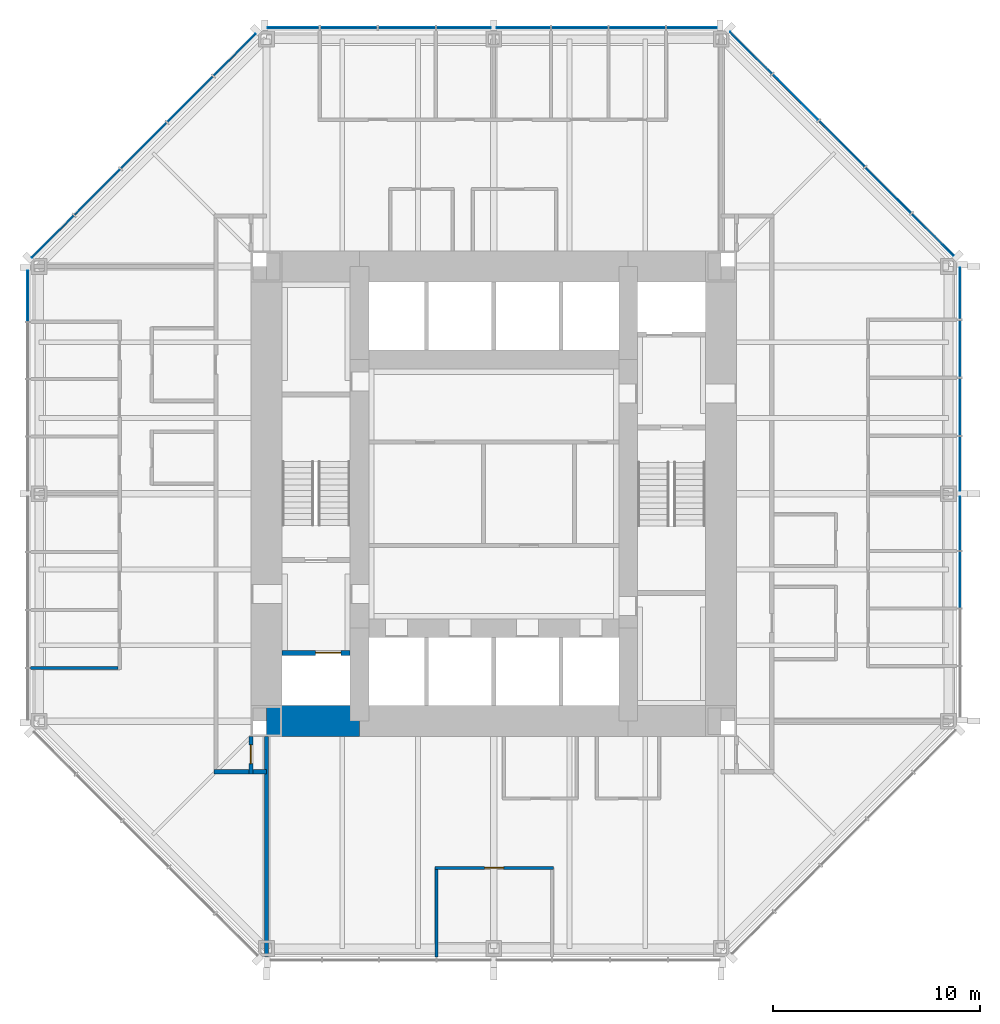
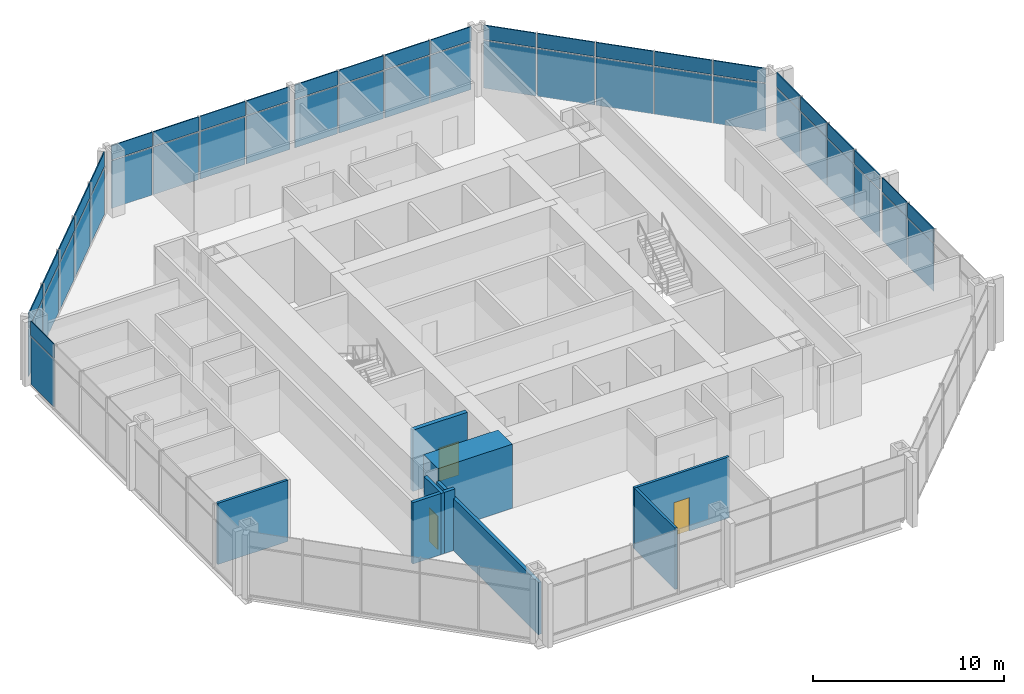
# One storey, part 8 of 14: 50 plates, 8 walls, 3 doors, 3 openings, 5 elements without a shape of their own.
"""IFC4 building model written with IfcOpenShell, lengths in metres."""

from ifc_helpers import new_model, si_unit, direction, frame, frame_2d, origin, origin_2d, place, context, subcontext, project, spatial, rectangle, extrude, material, layer, layer_set, type_object, element, fill, aggregate, save


model = new_model("IFC4")

# Units and contexts
model_context = context("Model", 3, precision=1e-05, world=origin(), true_north=direction((0.0, 1.0)))
body_context = subcontext(model_context, "Body", "Model", "MODEL_VIEW")
ifc_project = project(units=[si_unit("LENGTHUNIT", "METRE"), si_unit("AREAUNIT", "SQUARE_METRE"), si_unit("VOLUMEUNIT", "CUBIC_METRE"), si_unit("PLANEANGLEUNIT", "RADIAN"), si_unit("MASSUNIT", "GRAM", prefix="KILO")], contexts=[model_context])

# Site, building, storey
site_placement = place(None, origin())
site = spatial("IfcSite", under=ifc_project, at=site_placement, CompositionType="ELEMENT")
building_placement = place(site_placement, origin())
building = spatial("IfcBuilding", under=site, at=building_placement, Name="Trevanion Tower", CompositionType="ELEMENT")
storey_placement = place(building_placement, frame((0.0, 0.0, 104.89990234375)))
storey = spatial("IfcBuildingStorey", under=building, at=storey_placement, Name="L24", CompositionType="ELEMENT", Elevation=104.89990234375)

# Curtain wall, plates
ifc_material_1 = material(Name="Aluminium and glass", Category="aluminium")
curtain_wall_type = type_object("IfcCurtainWallType", Name="CW2 curtain wall", PredefinedType="USERDEFINED", material=ifc_material_1)
curtain_wall_1_placement = place(storey_placement, origin())
curtain_wall_1 = element("IfcCurtainWall", 1, at=curtain_wall_1_placement, inside=storey, type_object=curtain_wall_type, Name="CW2 L24 0", ObjectType="UNITISED CURTAIN WALL", PredefinedType="USERDEFINED")
ifc_material_2 = material(Name="Aluminium spandrel panel", Category="aluminium")
ifc_layer_1 = layer(ifc_material_2, 0.06005859375)
ifc_layer_set_1 = layer_set([ifc_layer_1], Name="CW2 spandrel panel")
plate_type_1 = type_object("IfcPlateType", Name="CW2 spandrel panel", PredefinedType="CURTAIN_PANEL", material=ifc_layer_set_1)
plate_1_placement = place(storey_placement, frame((22.550048828125, -4.16162109375, 2.99755859375), z_axis=(0.0, 0.0, 1.0), x_axis=(0.0, 1.0, 0.0)))
plate_1 = element("IfcPlate", 2, at=plate_1_placement, type_object=plate_type_1, Name="CW2 panel 3.2", PredefinedType="CURTAIN_PANEL", context=body_context, shape_type="SweptSolid", body=[
    extrude(rectangle(XDim=2.699462890625, YDim=0.06005859375, at=origin_2d()), origin(), (0.0, 0.0, 1.0), 0.91259765625),
])
plate_2_placement = place(storey_placement, frame((22.550048828125, -1.443603515625, 2.99755859375), z_axis=(0.0, 0.0, 1.0), x_axis=(0.0, 1.0, 0.0)))
plate_2 = element("IfcPlate", 3, at=plate_2_placement, type_object=plate_type_1, Name="CW2 panel 4.2", PredefinedType="CURTAIN_PANEL", context=body_context, shape_type="SweptSolid", body=[
    extrude(rectangle(XDim=2.5869140625, YDim=0.06005859375, at=origin_2d()), origin(), (0.0, 0.0, 1.0), 0.91259765625),
])
plate_3_placement = place(storey_placement, frame((22.550048828125, 1.459716796875, 2.99755859375), z_axis=(0.0, 0.0, 1.0), x_axis=(0.0, 1.0, 0.0)))
plate_3 = element("IfcPlate", 4, at=plate_3_placement, type_object=plate_type_1, Name="CW2 panel 5.2", PredefinedType="CURTAIN_PANEL", context=body_context, shape_type="SweptSolid", body=[
    extrude(rectangle(XDim=2.619384765625, YDim=0.06005859375, at=origin_2d()), origin(), (0.0, 0.0, 1.0), 0.91259765625),
])
plate_4_placement = place(storey_placement, frame((22.550048828125, 4.21044921875, 2.99755859375), z_axis=(0.0, 0.0, 1.0), x_axis=(0.0, 1.0, 0.0)))
plate_4 = element("IfcPlate", 5, at=plate_4_placement, type_object=plate_type_1, Name="CW2 panel 6.2", PredefinedType="CURTAIN_PANEL", context=body_context, shape_type="SweptSolid", body=[
    extrude(rectangle(XDim=2.73193359375, YDim=0.06005859375, at=origin_2d()), origin(), (0.0, 0.0, 1.0), 0.91259765625),
])
plate_5_placement = place(storey_placement, frame((22.550048828125, 7.017333984375, 2.99755859375), z_axis=(0.0, 0.0, 1.0), x_axis=(0.0, 1.0, 0.0)))
plate_5 = element("IfcPlate", 6, at=plate_5_placement, type_object=plate_type_1, Name="CW2 panel 7.2", PredefinedType="CURTAIN_PANEL", context=body_context, shape_type="SweptSolid", body=[
    extrude(rectangle(XDim=2.73193359375, YDim=0.06005859375, at=origin_2d()), origin(), (0.0, 0.0, 1.0), 0.91259765625),
])
plate_6_placement = place(storey_placement, frame((22.550048828125, 9.693115234375, 2.99755859375), z_axis=(0.0, 0.0, 1.0), x_axis=(0.0, 1.0, 0.0)))
plate_6 = element("IfcPlate", 7, at=plate_6_placement, type_object=plate_type_1, Name="CW2 panel 8.2", PredefinedType="CURTAIN_PANEL", context=body_context, shape_type="SweptSolid", body=[
    extrude(rectangle(XDim=2.469482421875, YDim=0.06005859375, at=origin_2d()), origin(), (0.0, 0.0, 1.0), 0.91259765625),
])

curtain_wall_2_placement = place(storey_placement, origin())
curtain_wall_2 = element("IfcCurtainWall", 8, at=curtain_wall_2_placement, inside=storey, type_object=curtain_wall_type, Name="CW2 L24 1", ObjectType="UNITISED CURTAIN WALL", PredefinedType="USERDEFINED")
plate_7_placement = place(storey_placement, frame((21.2421875, 12.53564453125, 2.99755859375), z_axis=(0.0, 0.0, 1.0), x_axis=(-0.707106781187, 0.707106781187, 0.0)))
plate_7 = element("IfcPlate", 9, at=plate_7_placement, type_object=plate_type_1, Name="CW2 panel 1.2", PredefinedType="CURTAIN_PANEL", context=body_context, shape_type="SweptSolid", body=[
    extrude(rectangle(XDim=2.8388671875, YDim=0.06005859375, at=origin_2d()), origin(), (0.0, 0.0, 1.0), 0.91259765625),
])
plate_8_placement = place(storey_placement, frame((19.089111328125, 14.688720703125, 2.99755859375), z_axis=(0.0, 0.0, 1.0), x_axis=(-0.707106781187, 0.707106781187, 0.0)))
plate_8 = element("IfcPlate", 10, at=plate_8_placement, type_object=plate_type_1, Name="CW2 panel 2.2", PredefinedType="CURTAIN_PANEL", context=body_context, shape_type="SweptSolid", body=[
    extrude(rectangle(XDim=3.101318359375, YDim=0.06005859375, at=origin_2d()), origin(), (0.0, 0.0, 1.0), 0.91259765625),
])
plate_9_placement = place(storey_placement, frame((16.843017578125, 16.934814453125, 2.99755859375), z_axis=(0.0, 0.0, 1.0), x_axis=(-0.707106781187, 0.707106781187, 0.0)))
plate_9 = element("IfcPlate", 11, at=plate_9_placement, type_object=plate_type_1, Name="CW2 panel 3.2", PredefinedType="CURTAIN_PANEL", context=body_context, shape_type="SweptSolid", body=[
    extrude(rectangle(XDim=3.101318359375, YDim=0.06005859375, at=origin_2d()), origin(), (0.0, 0.0, 1.0), 0.91259765625),
])
plate_10_placement = place(storey_placement, frame((14.596923828125, 19.180908203125, 2.99755859375), z_axis=(0.0, 0.0, 1.0), x_axis=(-0.707106781187, 0.707106781187, 0.0)))
plate_10 = element("IfcPlate", 12, at=plate_10_placement, type_object=plate_type_1, Name="CW2 panel 4.2", PredefinedType="CURTAIN_PANEL", context=body_context, shape_type="SweptSolid", body=[
    extrude(rectangle(XDim=3.101318359375, YDim=0.06005859375, at=origin_2d()), origin(), (0.0, 0.0, 1.0), 0.91259765625),
])
plate_11_placement = place(storey_placement, frame((12.443603515625, 21.334228515625, 2.99755859375), z_axis=(0.0, 0.0, 1.0), x_axis=(-0.707106781187, 0.707106781187, 0.0)))
plate_11 = element("IfcPlate", 13, at=plate_11_placement, type_object=plate_type_1, Name="CW2 panel 5.2", PredefinedType="CURTAIN_PANEL", context=body_context, shape_type="SweptSolid", body=[
    extrude(rectangle(XDim=2.8388671875, YDim=0.06005859375, at=origin_2d()), origin(), (0.0, 0.0, 1.0), 0.91259765625),
])

curtain_wall_3_placement = place(storey_placement, origin())
curtain_wall_3 = element("IfcCurtainWall", 14, at=curtain_wall_3_placement, inside=storey, type_object=curtain_wall_type, Name="CW2 L24 2", ObjectType="UNITISED CURTAIN WALL", PredefinedType="USERDEFINED")
plate_12_placement = place(storey_placement, frame((9.579345703125, 22.550048828125, 2.99755859375), z_axis=(0.0, 0.0, 1.0), x_axis=(-1.0, 0.0, 0.0)))
plate_12 = element("IfcPlate", 15, at=plate_12_placement, type_object=plate_type_1, Name="CW2 panel 1.2", PredefinedType="CURTAIN_PANEL", context=body_context, shape_type="SweptSolid", body=[
    extrude(rectangle(XDim=2.43701171875, YDim=0.06005859375, at=origin_2d()), origin(), (0.0, 0.0, 1.0), 0.91259765625),
])
plate_13_placement = place(storey_placement, frame((6.93603515625, 22.550048828125, 2.99755859375), z_axis=(0.0, 0.0, 1.0), x_axis=(-1.0, 0.0, 0.0)))
plate_13 = element("IfcPlate", 16, at=plate_13_placement, type_object=plate_type_1, Name="CW2 panel 2.2", PredefinedType="CURTAIN_PANEL", context=body_context, shape_type="SweptSolid", body=[
    extrude(rectangle(XDim=2.699462890625, YDim=0.06005859375, at=origin_2d()), origin(), (0.0, 0.0, 1.0), 0.91259765625),
])
plate_14_placement = place(storey_placement, frame((4.16162109375, 22.550048828125, 2.99755859375), z_axis=(0.0, 0.0, 1.0), x_axis=(-1.0, 0.0, 0.0)))
plate_14 = element("IfcPlate", 17, at=plate_14_placement, type_object=plate_type_1, Name="CW2 panel 3.2", PredefinedType="CURTAIN_PANEL", context=body_context, shape_type="SweptSolid", body=[
    extrude(rectangle(XDim=2.699462890625, YDim=0.06005859375, at=origin_2d()), origin(), (0.0, 0.0, 1.0), 0.91259765625),
])
plate_15_placement = place(storey_placement, frame((1.443603515625, 22.550048828125, 2.99755859375), z_axis=(0.0, 0.0, 1.0), x_axis=(-1.0, 0.0, 0.0)))
plate_15 = element("IfcPlate", 18, at=plate_15_placement, type_object=plate_type_1, Name="CW2 panel 4.2", PredefinedType="CURTAIN_PANEL", context=body_context, shape_type="SweptSolid", body=[
    extrude(rectangle(XDim=2.5869140625, YDim=0.06005859375, at=origin_2d()), origin(), (0.0, 0.0, 1.0), 0.91259765625),
])
plate_16_placement = place(storey_placement, frame((-1.459716796875, 22.550048828125, 2.99755859375), z_axis=(0.0, 0.0, 1.0), x_axis=(-1.0, 0.0, 0.0)))
plate_16 = element("IfcPlate", 19, at=plate_16_placement, type_object=plate_type_1, Name="CW2 panel 5.2", PredefinedType="CURTAIN_PANEL", context=body_context, shape_type="SweptSolid", body=[
    extrude(rectangle(XDim=2.619384765625, YDim=0.06005859375, at=origin_2d()), origin(), (0.0, 0.0, 1.0), 0.91259765625),
])
plate_17_placement = place(storey_placement, frame((-4.21044921875, 22.550048828125, 2.99755859375), z_axis=(0.0, 0.0, 1.0), x_axis=(-1.0, 0.0, 0.0)))
plate_17 = element("IfcPlate", 20, at=plate_17_placement, type_object=plate_type_1, Name="CW2 panel 6.2", PredefinedType="CURTAIN_PANEL", context=body_context, shape_type="SweptSolid", body=[
    extrude(rectangle(XDim=2.73193359375, YDim=0.06005859375, at=origin_2d()), origin(), (0.0, 0.0, 1.0), 0.91259765625),
])
plate_18_placement = place(storey_placement, frame((-7.017333984375, 22.550048828125, 2.99755859375), z_axis=(0.0, 0.0, 1.0), x_axis=(-1.0, 0.0, 0.0)))
plate_18 = element("IfcPlate", 21, at=plate_18_placement, type_object=plate_type_1, Name="CW2 panel 7.2", PredefinedType="CURTAIN_PANEL", context=body_context, shape_type="SweptSolid", body=[
    extrude(rectangle(XDim=2.73193359375, YDim=0.06005859375, at=origin_2d()), origin(), (0.0, 0.0, 1.0), 0.91259765625),
])
plate_19_placement = place(storey_placement, frame((-9.693115234375, 22.550048828125, 2.99755859375), z_axis=(0.0, 0.0, 1.0), x_axis=(-1.0, 0.0, 0.0)))
plate_19 = element("IfcPlate", 22, at=plate_19_placement, type_object=plate_type_1, Name="CW2 panel 8.2", PredefinedType="CURTAIN_PANEL", context=body_context, shape_type="SweptSolid", body=[
    extrude(rectangle(XDim=2.469482421875, YDim=0.06005859375, at=origin_2d()), origin(), (0.0, 0.0, 1.0), 0.91259765625),
])

curtain_wall_4_placement = place(storey_placement, origin())
curtain_wall_4 = element("IfcCurtainWall", 23, at=curtain_wall_4_placement, inside=storey, type_object=curtain_wall_type, Name="CW2 L24 3", ObjectType="UNITISED CURTAIN WALL", PredefinedType="USERDEFINED")
plate_20_placement = place(storey_placement, frame((-12.53564453125, 21.2421875, 2.99755859375), z_axis=(0.0, 0.0, 1.0), x_axis=(-0.707106781187, -0.707106781187, 0.0)))
plate_20 = element("IfcPlate", 24, at=plate_20_placement, type_object=plate_type_1, Name="CW2 panel 1.2", PredefinedType="CURTAIN_PANEL", context=body_context, shape_type="SweptSolid", body=[
    extrude(rectangle(XDim=2.8388671875, YDim=0.06005859375, at=origin_2d()), origin(), (0.0, 0.0, 1.0), 0.91259765625),
])
plate_21_placement = place(storey_placement, frame((-14.688720703125, 19.089111328125, 2.99755859375), z_axis=(0.0, 0.0, 1.0), x_axis=(-0.707106781187, -0.707106781187, 0.0)))
plate_21 = element("IfcPlate", 25, at=plate_21_placement, type_object=plate_type_1, Name="CW2 panel 2.2", PredefinedType="CURTAIN_PANEL", context=body_context, shape_type="SweptSolid", body=[
    extrude(rectangle(XDim=3.101318359375, YDim=0.06005859375, at=origin_2d()), origin(), (0.0, 0.0, 1.0), 0.91259765625),
])
plate_22_placement = place(storey_placement, frame((-16.934814453125, 16.843017578125, 2.99755859375), z_axis=(0.0, 0.0, 1.0), x_axis=(-0.707106781187, -0.707106781187, 0.0)))
plate_22 = element("IfcPlate", 26, at=plate_22_placement, type_object=plate_type_1, Name="CW2 panel 3.2", PredefinedType="CURTAIN_PANEL", context=body_context, shape_type="SweptSolid", body=[
    extrude(rectangle(XDim=3.101318359375, YDim=0.06005859375, at=origin_2d()), origin(), (0.0, 0.0, 1.0), 0.91259765625),
])
plate_23_placement = place(storey_placement, frame((-19.180908203125, 14.596923828125, 2.99755859375), z_axis=(0.0, 0.0, 1.0), x_axis=(-0.707106781187, -0.707106781187, 0.0)))
plate_23 = element("IfcPlate", 27, at=plate_23_placement, type_object=plate_type_1, Name="CW2 panel 4.2", PredefinedType="CURTAIN_PANEL", context=body_context, shape_type="SweptSolid", body=[
    extrude(rectangle(XDim=3.101318359375, YDim=0.06005859375, at=origin_2d()), origin(), (0.0, 0.0, 1.0), 0.91259765625),
])
plate_24_placement = place(storey_placement, frame((-21.334228515625, 12.443603515625, 2.99755859375), z_axis=(0.0, 0.0, 1.0), x_axis=(-0.707106781187, -0.707106781187, 0.0)))
plate_24 = element("IfcPlate", 28, at=plate_24_placement, type_object=plate_type_1, Name="CW2 panel 5.2", PredefinedType="CURTAIN_PANEL", context=body_context, shape_type="SweptSolid", body=[
    extrude(rectangle(XDim=2.8388671875, YDim=0.06005859375, at=origin_2d()), origin(), (0.0, 0.0, 1.0), 0.91259765625),
])

# Curtain wall, plate
curtain_wall_5_placement = place(storey_placement, origin())
curtain_wall_5 = element("IfcCurtainWall", 29, at=curtain_wall_5_placement, inside=storey, type_object=curtain_wall_type, Name="CW2 L24 4", ObjectType="UNITISED CURTAIN WALL", PredefinedType="USERDEFINED")
plate_25_placement = place(storey_placement, frame((-22.550048828125, 9.579345703125, 2.99755859375), z_axis=(0.0, 0.0, 1.0), x_axis=(0.0, -1.0, 0.0)))
plate_25 = element("IfcPlate", 30, at=plate_25_placement, type_object=plate_type_1, Name="CW2 panel 1.2", PredefinedType="CURTAIN_PANEL", context=body_context, shape_type="SweptSolid", body=[
    extrude(rectangle(XDim=2.43701171875, YDim=0.06005859375, at=origin_2d()), origin(), (0.0, 0.0, 1.0), 0.91259765625),
])

# Plate
ifc_material_3 = material(Name="Insulating glass unit", Category="glass")
ifc_layer_2 = layer(ifc_material_3, 0.028076171875)
ifc_layer_set_2 = layer_set([ifc_layer_2], Name="CW2 vision panel")
plate_type_2 = type_object("IfcPlateType", Name="CW2 vision panel", PredefinedType="CURTAIN_PANEL", material=ifc_layer_set_2)
plate_26_placement = place(storey_placement, frame((22.550048828125, -4.16162109375, -0.114990234375), z_axis=(0.0, 0.0, 1.0), x_axis=(0.0, 1.0, 0.0)))
plate_26 = element("IfcPlate", 31, at=plate_26_placement, type_object=plate_type_2, Name="CW2 panel 3.1", PredefinedType="CURTAIN_PANEL", context=body_context, shape_type="SweptSolid", body=[
    extrude(rectangle(XDim=2.699462890625, YDim=0.028076171875, at=origin_2d()), origin(), (0.0, 0.0, 1.0), 3.03759765625),
])

plate_27_placement = place(storey_placement, frame((22.550048828125, -1.443603515625, -0.114990234375), z_axis=(0.0, 0.0, 1.0), x_axis=(0.0, 1.0, 0.0)))
plate_27 = element("IfcPlate", 32, at=plate_27_placement, type_object=plate_type_2, Name="CW2 panel 4.1", PredefinedType="CURTAIN_PANEL", context=body_context, shape_type="SweptSolid", body=[
    extrude(rectangle(XDim=2.5869140625, YDim=0.028076171875, at=origin_2d()), origin(), (0.0, 0.0, 1.0), 3.03759765625),
])

plate_28_placement = place(storey_placement, frame((22.550048828125, 1.459716796875, -0.114990234375), z_axis=(0.0, 0.0, 1.0), x_axis=(0.0, 1.0, 0.0)))
plate_28 = element("IfcPlate", 33, at=plate_28_placement, type_object=plate_type_2, Name="CW2 panel 5.1", PredefinedType="CURTAIN_PANEL", context=body_context, shape_type="SweptSolid", body=[
    extrude(rectangle(XDim=2.619384765625, YDim=0.028076171875, at=origin_2d()), origin(), (0.0, 0.0, 1.0), 3.03759765625),
])

plate_29_placement = place(storey_placement, frame((22.550048828125, 4.21044921875, -0.114990234375), z_axis=(0.0, 0.0, 1.0), x_axis=(0.0, 1.0, 0.0)))
plate_29 = element("IfcPlate", 34, at=plate_29_placement, type_object=plate_type_2, Name="CW2 panel 6.1", PredefinedType="CURTAIN_PANEL", context=body_context, shape_type="SweptSolid", body=[
    extrude(rectangle(XDim=2.73193359375, YDim=0.028076171875, at=origin_2d()), origin(), (0.0, 0.0, 1.0), 3.03759765625),
])

plate_30_placement = place(storey_placement, frame((22.550048828125, 7.017333984375, -0.114990234375), z_axis=(0.0, 0.0, 1.0), x_axis=(0.0, 1.0, 0.0)))
plate_30 = element("IfcPlate", 35, at=plate_30_placement, type_object=plate_type_2, Name="CW2 panel 7.1", PredefinedType="CURTAIN_PANEL", context=body_context, shape_type="SweptSolid", body=[
    extrude(rectangle(XDim=2.73193359375, YDim=0.028076171875, at=origin_2d()), origin(), (0.0, 0.0, 1.0), 3.03759765625),
])

plate_31_placement = place(storey_placement, frame((22.550048828125, 9.693115234375, -0.114990234375), z_axis=(0.0, 0.0, 1.0), x_axis=(0.0, 1.0, 0.0)))
plate_31 = element("IfcPlate", 36, at=plate_31_placement, type_object=plate_type_2, Name="CW2 panel 8.1", PredefinedType="CURTAIN_PANEL", context=body_context, shape_type="SweptSolid", body=[
    extrude(rectangle(XDim=2.469482421875, YDim=0.028076171875, at=origin_2d()), origin(), (0.0, 0.0, 1.0), 3.03759765625),
])

aggregate(curtain_wall_1, [plate_26, plate_1, plate_27, plate_2, plate_28, plate_3, plate_29, plate_4, plate_30, plate_5, plate_31, plate_6])

plate_32_placement = place(storey_placement, frame((21.2421875, 12.53564453125, -0.114990234375), z_axis=(0.0, 0.0, 1.0), x_axis=(-0.707106781187, 0.707106781187, 0.0)))
plate_32 = element("IfcPlate", 37, at=plate_32_placement, type_object=plate_type_2, Name="CW2 panel 1.1", PredefinedType="CURTAIN_PANEL", context=body_context, shape_type="SweptSolid", body=[
    extrude(rectangle(XDim=2.8388671875, YDim=0.028076171875, at=origin_2d()), origin(), (0.0, 0.0, 1.0), 3.03759765625),
])

plate_33_placement = place(storey_placement, frame((19.089111328125, 14.688720703125, -0.114990234375), z_axis=(0.0, 0.0, 1.0), x_axis=(-0.707106781187, 0.707106781187, 0.0)))
plate_33 = element("IfcPlate", 38, at=plate_33_placement, type_object=plate_type_2, Name="CW2 panel 2.1", PredefinedType="CURTAIN_PANEL", context=body_context, shape_type="SweptSolid", body=[
    extrude(rectangle(XDim=3.101318359375, YDim=0.028076171875, at=origin_2d()), origin(), (0.0, 0.0, 1.0), 3.03759765625),
])

plate_34_placement = place(storey_placement, frame((16.843017578125, 16.934814453125, -0.114990234375), z_axis=(0.0, 0.0, 1.0), x_axis=(-0.707106781187, 0.707106781187, 0.0)))
plate_34 = element("IfcPlate", 39, at=plate_34_placement, type_object=plate_type_2, Name="CW2 panel 3.1", PredefinedType="CURTAIN_PANEL", context=body_context, shape_type="SweptSolid", body=[
    extrude(rectangle(XDim=3.101318359375, YDim=0.028076171875, at=origin_2d()), origin(), (0.0, 0.0, 1.0), 3.03759765625),
])

plate_35_placement = place(storey_placement, frame((14.596923828125, 19.180908203125, -0.114990234375), z_axis=(0.0, 0.0, 1.0), x_axis=(-0.707106781187, 0.707106781187, 0.0)))
plate_35 = element("IfcPlate", 40, at=plate_35_placement, type_object=plate_type_2, Name="CW2 panel 4.1", PredefinedType="CURTAIN_PANEL", context=body_context, shape_type="SweptSolid", body=[
    extrude(rectangle(XDim=3.101318359375, YDim=0.028076171875, at=origin_2d()), origin(), (0.0, 0.0, 1.0), 3.03759765625),
])

plate_36_placement = place(storey_placement, frame((12.443603515625, 21.334228515625, -0.114990234375), z_axis=(0.0, 0.0, 1.0), x_axis=(-0.707106781187, 0.707106781187, 0.0)))
plate_36 = element("IfcPlate", 41, at=plate_36_placement, type_object=plate_type_2, Name="CW2 panel 5.1", PredefinedType="CURTAIN_PANEL", context=body_context, shape_type="SweptSolid", body=[
    extrude(rectangle(XDim=2.8388671875, YDim=0.028076171875, at=origin_2d()), origin(), (0.0, 0.0, 1.0), 3.03759765625),
])

aggregate(curtain_wall_2, [plate_32, plate_7, plate_33, plate_8, plate_34, plate_9, plate_35, plate_10, plate_36, plate_11])

plate_37_placement = place(storey_placement, frame((9.579345703125, 22.550048828125, -0.114990234375), z_axis=(0.0, 0.0, 1.0), x_axis=(-1.0, 0.0, 0.0)))
plate_37 = element("IfcPlate", 42, at=plate_37_placement, type_object=plate_type_2, Name="CW2 panel 1.1", PredefinedType="CURTAIN_PANEL", context=body_context, shape_type="SweptSolid", body=[
    extrude(rectangle(XDim=2.43701171875, YDim=0.028076171875, at=origin_2d()), origin(), (0.0, 0.0, 1.0), 3.03759765625),
])

plate_38_placement = place(storey_placement, frame((6.93603515625, 22.550048828125, -0.114990234375), z_axis=(0.0, 0.0, 1.0), x_axis=(-1.0, 0.0, 0.0)))
plate_38 = element("IfcPlate", 43, at=plate_38_placement, type_object=plate_type_2, Name="CW2 panel 2.1", PredefinedType="CURTAIN_PANEL", context=body_context, shape_type="SweptSolid", body=[
    extrude(rectangle(XDim=2.699462890625, YDim=0.028076171875, at=origin_2d()), origin(), (0.0, 0.0, 1.0), 3.03759765625),
])

plate_39_placement = place(storey_placement, frame((4.16162109375, 22.550048828125, -0.114990234375), z_axis=(0.0, 0.0, 1.0), x_axis=(-1.0, 0.0, 0.0)))
plate_39 = element("IfcPlate", 44, at=plate_39_placement, type_object=plate_type_2, Name="CW2 panel 3.1", PredefinedType="CURTAIN_PANEL", context=body_context, shape_type="SweptSolid", body=[
    extrude(rectangle(XDim=2.699462890625, YDim=0.028076171875, at=origin_2d()), origin(), (0.0, 0.0, 1.0), 3.03759765625),
])

plate_40_placement = place(storey_placement, frame((1.443603515625, 22.550048828125, -0.114990234375), z_axis=(0.0, 0.0, 1.0), x_axis=(-1.0, 0.0, 0.0)))
plate_40 = element("IfcPlate", 45, at=plate_40_placement, type_object=plate_type_2, Name="CW2 panel 4.1", PredefinedType="CURTAIN_PANEL", context=body_context, shape_type="SweptSolid", body=[
    extrude(rectangle(XDim=2.5869140625, YDim=0.028076171875, at=origin_2d()), origin(), (0.0, 0.0, 1.0), 3.03759765625),
])

plate_41_placement = place(storey_placement, frame((-1.459716796875, 22.550048828125, -0.114990234375), z_axis=(0.0, 0.0, 1.0), x_axis=(-1.0, 0.0, 0.0)))
plate_41 = element("IfcPlate", 46, at=plate_41_placement, type_object=plate_type_2, Name="CW2 panel 5.1", PredefinedType="CURTAIN_PANEL", context=body_context, shape_type="SweptSolid", body=[
    extrude(rectangle(XDim=2.619384765625, YDim=0.028076171875, at=origin_2d()), origin(), (0.0, 0.0, 1.0), 3.03759765625),
])

plate_42_placement = place(storey_placement, frame((-4.21044921875, 22.550048828125, -0.114990234375), z_axis=(0.0, 0.0, 1.0), x_axis=(-1.0, 0.0, 0.0)))
plate_42 = element("IfcPlate", 47, at=plate_42_placement, type_object=plate_type_2, Name="CW2 panel 6.1", PredefinedType="CURTAIN_PANEL", context=body_context, shape_type="SweptSolid", body=[
    extrude(rectangle(XDim=2.73193359375, YDim=0.028076171875, at=origin_2d()), origin(), (0.0, 0.0, 1.0), 3.03759765625),
])

plate_43_placement = place(storey_placement, frame((-7.017333984375, 22.550048828125, -0.114990234375), z_axis=(0.0, 0.0, 1.0), x_axis=(-1.0, 0.0, 0.0)))
plate_43 = element("IfcPlate", 48, at=plate_43_placement, type_object=plate_type_2, Name="CW2 panel 7.1", PredefinedType="CURTAIN_PANEL", context=body_context, shape_type="SweptSolid", body=[
    extrude(rectangle(XDim=2.73193359375, YDim=0.028076171875, at=origin_2d()), origin(), (0.0, 0.0, 1.0), 3.03759765625),
])

plate_44_placement = place(storey_placement, frame((-9.693115234375, 22.550048828125, -0.114990234375), z_axis=(0.0, 0.0, 1.0), x_axis=(-1.0, 0.0, 0.0)))
plate_44 = element("IfcPlate", 49, at=plate_44_placement, type_object=plate_type_2, Name="CW2 panel 8.1", PredefinedType="CURTAIN_PANEL", context=body_context, shape_type="SweptSolid", body=[
    extrude(rectangle(XDim=2.469482421875, YDim=0.028076171875, at=origin_2d()), origin(), (0.0, 0.0, 1.0), 3.03759765625),
])

aggregate(curtain_wall_3, [plate_37, plate_12, plate_38, plate_13, plate_39, plate_14, plate_40, plate_15, plate_41, plate_16, plate_42, plate_17, plate_43, plate_18, plate_44, plate_19])

plate_45_placement = place(storey_placement, frame((-12.53564453125, 21.2421875, -0.114990234375), z_axis=(0.0, 0.0, 1.0), x_axis=(-0.707106781187, -0.707106781187, 0.0)))
plate_45 = element("IfcPlate", 50, at=plate_45_placement, type_object=plate_type_2, Name="CW2 panel 1.1", PredefinedType="CURTAIN_PANEL", context=body_context, shape_type="SweptSolid", body=[
    extrude(rectangle(XDim=2.8388671875, YDim=0.028076171875, at=origin_2d()), origin(), (0.0, 0.0, 1.0), 3.03759765625),
])

plate_46_placement = place(storey_placement, frame((-14.688720703125, 19.089111328125, -0.114990234375), z_axis=(0.0, 0.0, 1.0), x_axis=(-0.707106781187, -0.707106781187, 0.0)))
plate_46 = element("IfcPlate", 51, at=plate_46_placement, type_object=plate_type_2, Name="CW2 panel 2.1", PredefinedType="CURTAIN_PANEL", context=body_context, shape_type="SweptSolid", body=[
    extrude(rectangle(XDim=3.101318359375, YDim=0.028076171875, at=origin_2d()), origin(), (0.0, 0.0, 1.0), 3.03759765625),
])

plate_47_placement = place(storey_placement, frame((-16.934814453125, 16.843017578125, -0.114990234375), z_axis=(0.0, 0.0, 1.0), x_axis=(-0.707106781187, -0.707106781187, 0.0)))
plate_47 = element("IfcPlate", 52, at=plate_47_placement, type_object=plate_type_2, Name="CW2 panel 3.1", PredefinedType="CURTAIN_PANEL", context=body_context, shape_type="SweptSolid", body=[
    extrude(rectangle(XDim=3.101318359375, YDim=0.028076171875, at=origin_2d()), origin(), (0.0, 0.0, 1.0), 3.03759765625),
])

plate_48_placement = place(storey_placement, frame((-19.180908203125, 14.596923828125, -0.114990234375), z_axis=(0.0, 0.0, 1.0), x_axis=(-0.707106781187, -0.707106781187, 0.0)))
plate_48 = element("IfcPlate", 53, at=plate_48_placement, type_object=plate_type_2, Name="CW2 panel 4.1", PredefinedType="CURTAIN_PANEL", context=body_context, shape_type="SweptSolid", body=[
    extrude(rectangle(XDim=3.101318359375, YDim=0.028076171875, at=origin_2d()), origin(), (0.0, 0.0, 1.0), 3.03759765625),
])

plate_49_placement = place(storey_placement, frame((-21.334228515625, 12.443603515625, -0.114990234375), z_axis=(0.0, 0.0, 1.0), x_axis=(-0.707106781187, -0.707106781187, 0.0)))
plate_49 = element("IfcPlate", 54, at=plate_49_placement, type_object=plate_type_2, Name="CW2 panel 5.1", PredefinedType="CURTAIN_PANEL", context=body_context, shape_type="SweptSolid", body=[
    extrude(rectangle(XDim=2.8388671875, YDim=0.028076171875, at=origin_2d()), origin(), (0.0, 0.0, 1.0), 3.03759765625),
])

aggregate(curtain_wall_4, [plate_45, plate_20, plate_46, plate_21, plate_47, plate_22, plate_48, plate_23, plate_49, plate_24])

plate_50_placement = place(storey_placement, frame((-22.550048828125, 9.579345703125, -0.114990234375), z_axis=(0.0, 0.0, 1.0), x_axis=(0.0, -1.0, 0.0)))
plate_50 = element("IfcPlate", 55, at=plate_50_placement, type_object=plate_type_2, Name="CW2 panel 1.1", PredefinedType="CURTAIN_PANEL", context=body_context, shape_type="SweptSolid", body=[
    extrude(rectangle(XDim=2.43701171875, YDim=0.028076171875, at=origin_2d()), origin(), (0.0, 0.0, 1.0), 3.03759765625),
])

aggregate(curtain_wall_5, [plate_50, plate_25])

# Walls
ifc_material_4 = material(Name="Concrete 10,000 psi", Category="concrete")
ifc_layer_3 = layer(ifc_material_4, 1.5)
ifc_layer_set_3 = layer_set([ifc_layer_3], Name="CW1 core wall 1500")
wall_type_1 = type_object("IfcWallType", Name="CW1 core wall 1500", PredefinedType="SHEAR", material=ifc_layer_set_3)
wall_1_placement = place(storey_placement, frame((-11.0, -11.0, 0.0), z_axis=(0.0, 0.0, 1.0), x_axis=(1.0, 0.0, 0.0)))
element("IfcWall", 56, at=wall_1_placement, inside=storey, type_object=wall_type_1, Name="CW1 CS1 L24", PredefinedType="SHEAR", context=body_context, shape_type="SweptSolid", body=[
    extrude(rectangle(XDim=4.5, YDim=1.5, at=frame_2d((2.25, 0.0))), origin(), (0.0, 0.0, 1.0), 4.10009765625),
])
ifc_material_5 = material(Name="Gypsum board on steel studs", Category="steel")
ifc_layer_4 = layer(ifc_material_5, 0.14990234375)
ifc_layer_set_4 = layer_set([ifc_layer_4], Name="PT1 partition 150")
wall_type_2 = type_object("IfcWallType", Name="PT1 partition 150", PredefinedType="PARTITIONING", material=ifc_layer_set_4)
wall_2_placement = place(storey_placement, frame((-18.175048828125, -8.4208984375, 0.0), z_axis=(0.0, 0.0, 1.0), x_axis=(-1.0, 0.0, 0.0)))
element("IfcWall", 57, at=wall_2_placement, inside=storey, type_object=wall_type_2, Name="PT1 L24 FC2S6", PredefinedType="PARTITIONING", context=body_context, shape_type="SweptSolid", body=[
    extrude(rectangle(XDim=4.239990234375, YDim=0.14990234375, at=frame_2d((2.1201171875, 0.0))), origin(), (0.0, 0.0, 1.0), 3.91015625),
])

# Wall, opening, door
wall_3_placement = place(storey_placement, frame((-2.85009765625, -18.10009765625, 0.0), z_axis=(0.0, 0.0, 1.0), x_axis=(1.0, 0.0, 0.0)))
wall_3 = element("IfcWall", 58, at=wall_3_placement, inside=storey, type_object=wall_type_2, Name="PT1 L24 FC3F", PredefinedType="PARTITIONING", context=body_context, shape_type="SweptSolid", body=[
    extrude(rectangle(XDim=5.732177734375, YDim=0.14990234375, at=frame_2d((2.8662109375, 0.0))), origin(), (0.0, 0.0, 1.0), 3.91015625),
])
opening_1_placement = place(wall_3_placement, frame((2.408447265625, 0.0, 0.0)))
opening_1 = element("IfcOpeningElement", 59, at=opening_1_placement, cuts=wall_3, Name="Opening 24-039", PredefinedType="OPENING", context=body_context, shape_type="SweptSolid", body=[
    extrude(rectangle(XDim=0.9150390625, YDim=2.134033203125, at=frame_2d((0.45751953125, 1.06689453125))), frame((0.0, 0.0849609375, 0.0), z_axis=(0.0, -1.0, 0.0), x_axis=(1.0, 0.0, 0.0)), (0.0, 0.0, 1.0), 0.169921875),
])
ifc_material_6 = material(Name="Timber veneer, solid core", Category="wood")
door_type_1 = type_object("IfcDoorType", Name="D1 office and meeting room door", OperationType="SINGLE_SWING_LEFT", PredefinedType="DOOR", material=ifc_material_6)
door_1_placement = place(opening_1_placement, origin())
door_1 = element("IfcDoor", 60, at=door_1_placement, inside=storey, type_object=door_type_1, Name="Door 24-039", OperationType="SINGLE_SWING_LEFT", OverallHeight=2.134033203125, OverallWidth=0.9150390625, PredefinedType="DOOR", context=body_context, shape_type="SweptSolid", body=[
    extrude(rectangle(XDim=0.9150390625, YDim=2.134033203125, at=frame_2d((0.45751953125, 1.06689453125))), frame((0.0, 0.02490234375, 0.0), z_axis=(0.0, -1.0, 0.0), x_axis=(1.0, 0.0, 0.0)), (0.0, 0.0, 1.0), 0.050048828125),
])
fill(opening_1, door_1)

# Wall
wall_4_placement = place(storey_placement, frame((-2.77490234375, -18.175048828125, 0.0), z_axis=(0.0, 0.0, 1.0), x_axis=(0.0, -1.0, 0.0)))
element("IfcWall", 61, at=wall_4_placement, inside=storey, type_object=wall_type_2, Name="PT1 L24 FC3S0", PredefinedType="PARTITIONING", context=body_context, shape_type="SweptSolid", body=[
    extrude(rectangle(XDim=4.239990234375, YDim=0.14990234375, at=frame_2d((2.1201171875, 0.0))), origin(), (0.0, 0.0, 1.0), 3.91015625),
])

# Wall, opening, door
ifc_material_7 = material(Name="Concrete masonry, grouted", Category="masonry")
ifc_layer_5 = layer(ifc_material_7, 0.199951171875)
ifc_layer_set_5 = layer_set([ifc_layer_5], Name="PT2 partition 200 1 HR")
wall_type_3 = type_object("IfcWallType", Name="PT2 partition 200 1 HR", PredefinedType="PARTITIONING", material=ifc_layer_set_5)
wall_5_placement = place(storey_placement, frame((-11.75, -11.75, 0.0), z_axis=(0.0, 0.0, 1.0), x_axis=(0.0, -1.0, 0.0)))
wall_5 = element("IfcWall", 62, at=wall_5_placement, inside=storey, type_object=wall_type_3, Name="PT2 L24 OUSW1", PredefinedType="PARTITIONING", context=body_context, shape_type="SweptSolid", body=[
    extrude(rectangle(XDim=1.800048828125, YDim=0.199951171875, at=frame_2d((0.89990234375, 0.0))), origin(), (0.0, 0.0, 1.0), 3.91015625),
])
opening_2_placement = place(wall_5_placement, frame((0.392578125, 0.0, 0.0)))
opening_2 = element("IfcOpeningElement", 63, at=opening_2_placement, cuts=wall_5, Name="Opening 24-021", PredefinedType="OPENING", context=body_context, shape_type="SweptSolid", body=[
    extrude(rectangle(XDim=0.9150390625, YDim=2.134033203125, at=frame_2d((0.45751953125, 1.06689453125))), frame((0.0, 0.10986328125, 0.0), z_axis=(0.0, -1.0, 0.0), x_axis=(1.0, 0.0, 0.0)), (0.0, 0.0, 1.0), 0.219970703125),
])
ifc_material_8 = material(Name="Timber veneer, fire rated", Category="wood")
door_type_2 = type_object("IfcDoorType", Name="D10 office door in a one hour wall", OperationType="SINGLE_SWING_LEFT", PredefinedType="DOOR", material=ifc_material_8)
door_2_placement = place(opening_2_placement, frame((0.9150390625, 0.0, 0.0), z_axis=(0.0, 0.0, 1.0), x_axis=(-1.0, 0.0, 0.0)))
door_2 = element("IfcDoor", 64, at=door_2_placement, inside=storey, type_object=door_type_2, Name="Door 24-021", OperationType="SINGLE_SWING_LEFT", OverallHeight=2.134033203125, OverallWidth=0.9150390625, PredefinedType="DOOR", context=body_context, shape_type="SweptSolid", body=[
    extrude(rectangle(XDim=0.9150390625, YDim=2.134033203125, at=frame_2d((0.45751953125, 1.06689453125))), frame((0.0, 0.02490234375, 0.0), z_axis=(0.0, -1.0, 0.0), x_axis=(1.0, 0.0, 0.0)), (0.0, 0.0, 1.0), 0.050048828125),
])
fill(opening_2, door_2)

# Walls
wall_6_placement = place(storey_placement, frame((-11.0, -13.449951171875, 0.0), z_axis=(0.0, 0.0, 1.0), x_axis=(-1.0, 0.0, 0.0)))
element("IfcWall", 65, at=wall_6_placement, inside=storey, type_object=wall_type_3, Name="PT2 L24 OUSW2", PredefinedType="PARTITIONING", context=body_context, shape_type="SweptSolid", body=[
    extrude(rectangle(XDim=2.550048828125, YDim=0.199951171875, at=frame_2d((1.27490234375, 0.0))), origin(), (0.0, 0.0, 1.0), 3.91015625),
])
wall_7_placement = place(storey_placement, frame((-11.0, -11.75, 0.0), z_axis=(0.0, 0.0, 1.0), x_axis=(0.0, -1.0, 0.0)))
element("IfcWall", 66, at=wall_7_placement, inside=storey, type_object=wall_type_3, Name="PT2 L24 DM2", PredefinedType="PARTITIONING", context=body_context, shape_type="SweptSolid", body=[
    extrude(rectangle(XDim=10.6650390625, YDim=0.199951171875, at=frame_2d((5.33251953125, 0.0))), origin(), (0.0, 0.0, 1.0), 3.325927734375),
])

# Wall, opening, door
ifc_material_9 = material(Name="Concrete masonry, grouted, two-hour", Category="masonry")
ifc_layer_6 = layer(ifc_material_9, 0.25)
ifc_layer_set_6 = layer_set([ifc_layer_6], Name="PT3 partition 250 2 HR")
wall_type_4 = type_object("IfcWallType", Name="PT3 partition 250 2 HR", PredefinedType="PARTITIONING", material=ifc_layer_set_6)
wall_8_placement = place(storey_placement, frame((-6.949951171875, -7.699951171875, 0.0), z_axis=(0.0, 0.0, 1.0), x_axis=(-1.0, 0.0, 0.0)))
wall_8 = element("IfcWall", 67, at=wall_8_placement, inside=storey, type_object=wall_type_4, Name="PT3 L24 WP3", PredefinedType="PARTITIONING", context=body_context, shape_type="SweptSolid", body=[
    extrude(rectangle(XDim=3.300048828125, YDim=0.25, at=frame_2d((1.64990234375, 0.0))), origin(), (0.0, 0.0, 1.0), 3.91015625),
])
opening_3_placement = place(wall_8_placement, frame((0.449951171875, 0.0, 0.0)))
opening_3 = element("IfcOpeningElement", 68, at=opening_3_placement, cuts=wall_8, Name="Opening 24-008", PredefinedType="OPENING", context=body_context, shape_type="SweptSolid", body=[
    extrude(rectangle(XDim=1.218994140625, YDim=2.134033203125, at=frame_2d((0.609375, 1.06689453125))), frame((0.0, 0.135009765625, 0.0), z_axis=(0.0, -1.0, 0.0), x_axis=(1.0, 0.0, 0.0)), (0.0, 0.0, 1.0), 0.27001953125),
])
ifc_material_10 = material(Name="Stainless steel, fire rated", Category="steel")
door_type_3 = type_object("IfcDoorType", Name="LD2 fire service lift landing door", OperationType="SLIDING_TO_LEFT", PredefinedType="DOOR", material=ifc_material_10)
door_3_placement = place(opening_3_placement, origin())
door_3 = element("IfcDoor", 69, at=door_3_placement, inside=storey, type_object=door_type_3, Name="Door 24-008", OperationType="SLIDING_TO_LEFT", OverallHeight=2.134033203125, OverallWidth=1.218994140625, PredefinedType="DOOR", context=body_context, shape_type="SweptSolid", body=[
    extrude(rectangle(XDim=1.218994140625, YDim=2.134033203125, at=frame_2d((0.609375, 1.06689453125))), frame((0.0, 0.02490234375, 0.0), z_axis=(0.0, -1.0, 0.0), x_axis=(1.0, 0.0, 0.0)), (0.0, 0.0, 1.0), 0.050048828125),
])
fill(opening_3, door_3)

save(model, "model.ifc")
